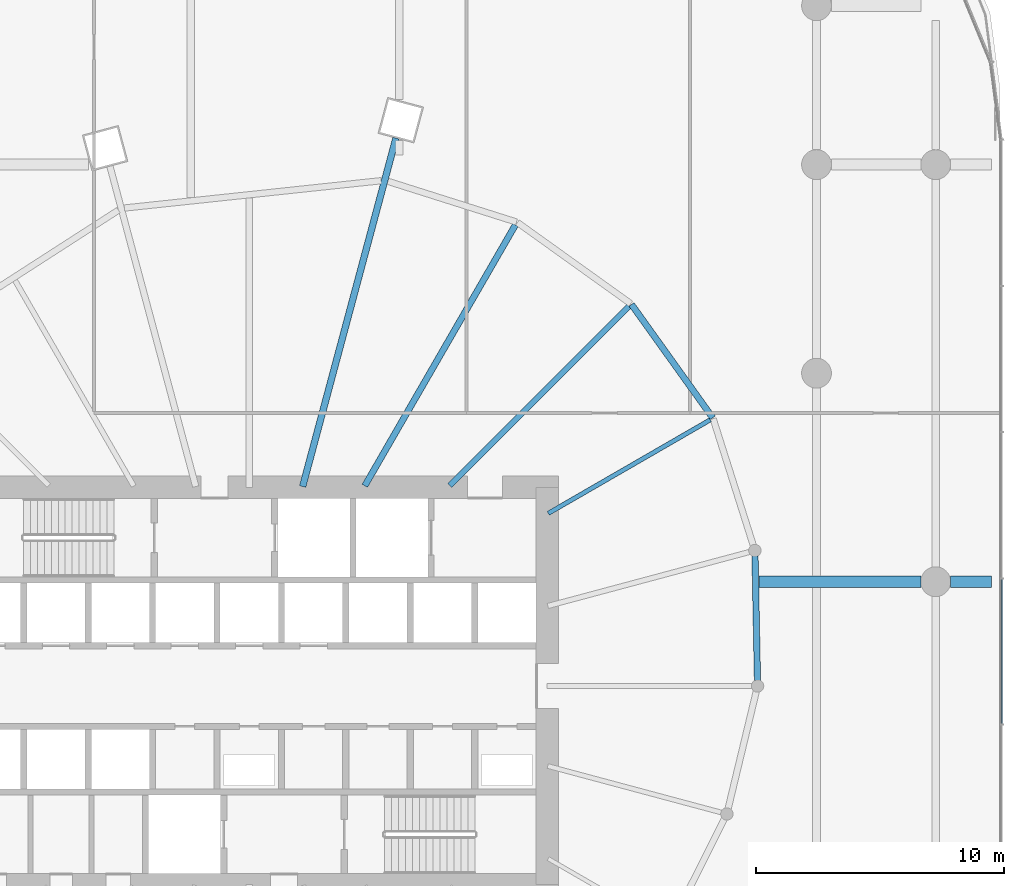
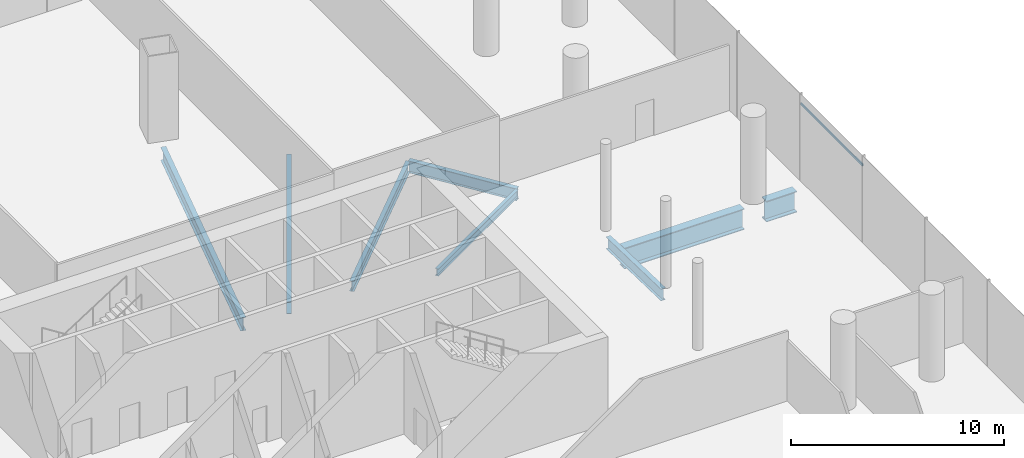
# One storey, part 20 of 51: 8 beams, 1 member, 1 element without a shape of its own.
"""IFC4 building model written with IfcOpenShell, lengths in metres."""

from ifc_helpers import new_model, si_unit, direction, frame, origin, origin_2d, place, context, subcontext, project, spatial, rectangle, i_section, extrude, material, material_profile, profile_set, type_object, element, aggregate, save


model = new_model("IFC4")

# Units and contexts
model_context = context("Model", 3, precision=1e-05, world=origin(), true_north=direction((0.0, 1.0)))
body_context = subcontext(model_context, "Body", "Model", "MODEL_VIEW")
ifc_project = project(units=[si_unit("LENGTHUNIT", "METRE"), si_unit("AREAUNIT", "SQUARE_METRE"), si_unit("VOLUMEUNIT", "CUBIC_METRE"), si_unit("PLANEANGLEUNIT", "RADIAN"), si_unit("MASSUNIT", "GRAM", prefix="KILO")], contexts=[model_context])

# Site, building, storey
site_placement = place(None, origin())
site = spatial("IfcSite", under=ifc_project, at=site_placement, CompositionType="ELEMENT")
building_placement = place(site_placement, origin())
building = spatial("IfcBuilding", under=site, at=building_placement, Name="Rimbun Link Towers", CompositionType="ELEMENT")
storey_placement = place(building_placement, frame((0.0, 0.0, 7.0)))
storey = spatial("IfcBuildingStorey", under=building, at=storey_placement, Name="L01", CompositionType="ELEMENT", Elevation=7.0)

# Curtain wall, member
ifc_material_1 = material(Name="Aluminium 6063-T6 and low-iron glass", Category="aluminium")
curtain_wall_type = type_object("IfcCurtainWallType", Name="CW3 podium shopfront", PredefinedType="NOTDEFINED", material=ifc_material_1)
curtain_wall_placement = place(storey_placement, origin())
curtain_wall = element("IfcCurtainWall", 1, at=curtain_wall_placement, inside=storey, type_object=curtain_wall_type, Name="CW3 L01 PD", PredefinedType="NOTDEFINED")
ifc_material_2 = material(Name="Aluminium 6063-T6", Category="aluminium")
ifc_material_profile_1 = material_profile(ifc_material_2, rectangle(XDim=0.06005859375, YDim=0.1201171875, at=origin_2d()), Name="TRANSOM 60X120")
ifc_profile_set_1 = profile_set([ifc_material_profile_1], Name="Aluminium 6063-T6")
member_type = type_object("IfcMemberType", Name="CW3 transom 60X120", PredefinedType="USERDEFINED", material=ifc_profile_set_1)
member_placement = place(storey_placement, frame((62.053955078125, 4.30322265625, 4.39990234375), z_axis=(0.0, -1.0, 0.0), x_axis=(1.0, 0.0, 0.0)))
member = element("IfcMember", 2, at=member_placement, type_object=member_type, Name="CW3 transom", ObjectType="TRANSOM", PredefinedType="USERDEFINED", context=body_context, shape_type="SweptSolid", body=[
    extrude(rectangle(XDim=0.06005859375, YDim=0.1201171875, at=origin_2d()), origin(), (0.0, 0.0, 1.0), 5.828857421875),
])
aggregate(curtain_wall, [member])

# Beams
ifc_material_3 = material(Name="Steel S355J2", Category="steel")
ifc_material_profile_2 = material_profile(ifc_material_3, i_section(OverallWidth=0.449951171875, OverallDepth=1.199951171875, WebThickness=0.030029296875, FlangeThickness=0.044921875, at=origin_2d()), Name="PG 1200x450x30/45")
ifc_profile_set_2 = profile_set([ifc_material_profile_2], Name="Steel S355J2")
beam_type_1 = type_object("IfcBeamType", Name="PG 1200x450x30/45", PredefinedType="BEAM", material=ifc_profile_set_2)
beam_1_placement = place(storey_placement, frame((52.275634765625, 4.199951171875, -0.89990234375), z_axis=(1.0, 0.0, 0.0), x_axis=(0.0, 1.0, 0.0)))
element("IfcBeam", 3, at=beam_1_placement, inside=storey, type_object=beam_type_1, Name="Grid beam L01 +4.2", PredefinedType="BEAM", context=body_context, shape_type="SweptSolid", body=[
    extrude(i_section(OverallWidth=0.449951171875, OverallDepth=1.199951171875, WebThickness=0.030029296875, FlangeThickness=0.044921875, at=origin_2d()), origin(), (0.0, 0.0, 1.0), 6.5244140625),
])
beam_2_placement = place(storey_placement, frame((60.0, 4.199951171875, -0.89990234375), z_axis=(1.0, 0.0, 0.0), x_axis=(0.0, 1.0, 0.0)))
element("IfcBeam", 4, at=beam_2_placement, inside=storey, type_object=beam_type_1, Name="Grid beam L01 +4.2", PredefinedType="BEAM", context=body_context, shape_type="SweptSolid", body=[
    extrude(i_section(OverallWidth=0.449951171875, OverallDepth=1.199951171875, WebThickness=0.030029296875, FlangeThickness=0.044921875, at=origin_2d()), origin(), (0.0, 0.0, 1.0), 1.649169921875),
])
ifc_material_4 = material(Name="Steel S355J2", Category="steel")
ifc_material_profile_3 = material_profile(ifc_material_4, i_section(OverallWidth=0.177978515625, OverallDepth=0.406494140625, WebThickness=0.0078125, FlangeThickness=0.0126953125, at=origin_2d()), Name="UB 406x178x60")
ifc_profile_set_3 = profile_set([ifc_material_profile_3], Name="Steel S355J2")
beam_type_2 = type_object("IfcBeamType", Name="UB 406x178x60", PredefinedType="BEAM", material=ifc_profile_set_3)
beam_3_placement = place(storey_placement, frame((43.79541015625, 6.954345703125, -0.503173828125), z_axis=(0.866023167905, 0.500003872636, 0.0), x_axis=(-0.500003872636, 0.866023167905, 0.0)))
element("IfcBeam", 5, at=beam_3_placement, inside=storey, type_object=beam_type_2, Name="Radial beam T2 L01 23", PredefinedType="BEAM", context=body_context, shape_type="SweptSolid", body=[
    extrude(i_section(OverallWidth=0.177978515625, OverallDepth=0.406494140625, WebThickness=0.0078125, FlangeThickness=0.0126953125, at=origin_2d()), origin(), (0.0, 0.0, 1.0), 7.53466796875),
])
ifc_material_5 = material(Name="Steel S355J2", Category="steel")
ifc_material_profile_4 = material_profile(ifc_material_5, i_section(OverallWidth=0.2275390625, OverallDepth=0.6025390625, WebThickness=0.010498046875, FlangeThickness=0.014892578125, at=origin_2d()), Name="UB 610x229x101")
ifc_profile_set_4 = profile_set([ifc_material_profile_4], Name="Steel S355J2")
beam_type_3 = type_object("IfcBeamType", Name="UB 610x229x101", PredefinedType="BEAM", material=ifc_profile_set_4)
beam_4_placement = place(storey_placement, frame((39.831298828125, 8.081298828125, -0.601318359375), z_axis=(0.707106781187, 0.707106781187, 0.0), x_axis=(-0.707106781187, 0.707106781187, 0.0)))
element("IfcBeam", 6, at=beam_4_placement, inside=storey, type_object=beam_type_3, Name="Radial beam T2 L01 00", PredefinedType="BEAM", context=body_context, shape_type="SweptSolid", body=[
    extrude(i_section(OverallWidth=0.2275390625, OverallDepth=0.6025390625, WebThickness=0.010498046875, FlangeThickness=0.014892578125, at=origin_2d()), origin(), (0.0, 0.0, 1.0), 10.20263671875),
])
ifc_material_6 = material(Name="Steel S355J2", Category="steel")
ifc_material_profile_5 = material_profile(ifc_material_6, i_section(OverallWidth=0.253662109375, OverallDepth=0.68359375, WebThickness=0.012451171875, FlangeThickness=0.01904296875, at=origin_2d()), Name="UB 686x254x140")
ifc_profile_set_5 = profile_set([ifc_material_profile_5], Name="Steel S355J2")
beam_type_4 = type_object("IfcBeamType", Name="UB 686x254x140", PredefinedType="BEAM", material=ifc_profile_set_5)
beam_5_placement = place(storey_placement, frame((36.406005859375, 8.064208984375, -0.641845703125), z_axis=(0.499989563208, 0.866031429385, 0.0), x_axis=(-0.866031429385, 0.499989563208, 0.0)))
element("IfcBeam", 7, at=beam_5_placement, inside=storey, type_object=beam_type_4, Name="Radial beam T2 L01 01", PredefinedType="BEAM", context=body_context, shape_type="SweptSolid", body=[
    extrude(i_section(OverallWidth=0.253662109375, OverallDepth=0.68359375, WebThickness=0.012451171875, FlangeThickness=0.01904296875, at=origin_2d()), origin(), (0.0, 0.0, 1.0), 12.131591796875),
])
beam_6_placement = place(storey_placement, frame((52.22216796875, 0.220458984375, -0.641845703125), z_axis=(-0.01980243284, 0.999803912602, 0.0), x_axis=(-0.999803912602, -0.01980243284, 0.0)))
element("IfcBeam", 8, at=beam_6_placement, inside=storey, type_object=beam_type_4, Name="Edge beam T2 L01 21", PredefinedType="BEAM", context=body_context, shape_type="SweptSolid", body=[
    extrude(i_section(OverallWidth=0.253662109375, OverallDepth=0.68359375, WebThickness=0.012451171875, FlangeThickness=0.01904296875, at=origin_2d()), origin(), (0.0, 0.0, 1.0), 5.017822265625),
])
beam_7_placement = place(storey_placement, frame((50.419189453125, 10.802978515625, -0.641845703125), z_axis=(-0.582327447223, 0.81295433095, 0.0), x_axis=(-0.81295433095, -0.582327447223, 0.0)))
element("IfcBeam", 9, at=beam_7_placement, inside=storey, type_object=beam_type_4, Name="Edge beam T2 L01 23", PredefinedType="BEAM", context=body_context, shape_type="SweptSolid", body=[
    extrude(i_section(OverallWidth=0.253662109375, OverallDepth=0.68359375, WebThickness=0.012451171875, FlangeThickness=0.01904296875, at=origin_2d()), origin(), (0.0, 0.0, 1.0), 5.615966796875),
])
ifc_material_7 = material(Name="Steel S355J2", Category="steel")
ifc_material_profile_6 = material_profile(ifc_material_7, i_section(OverallWidth=0.2666015625, OverallDepth=0.76220703125, WebThickness=0.014404296875, FlangeThickness=0.021484375, at=origin_2d()), Name="UB 762x267x173")
ifc_profile_set_6 = profile_set([ifc_material_profile_6], Name="Steel S355J2")
beam_type_5 = type_object("IfcBeamType", Name="UB 762x267x173", PredefinedType="BEAM", material=ifc_profile_set_6)
beam_8_placement = place(storey_placement, frame((33.903076171875, 8.035400390625, -0.68115234375), z_axis=(0.25882261837, 0.965924868828, 0.0), x_axis=(-0.965924868828, 0.25882261837, 0.0)))
element("IfcBeam", 10, at=beam_8_placement, inside=storey, type_object=beam_type_5, Name="Radial beam T2 L01 02", PredefinedType="BEAM", context=body_context, shape_type="SweptSolid", body=[
    extrude(i_section(OverallWidth=0.2666015625, OverallDepth=0.76220703125, WebThickness=0.014404296875, FlangeThickness=0.021484375, at=origin_2d()), origin(), (0.0, 0.0, 1.0), 14.525390625),
])

save(model, "model.ifc")
